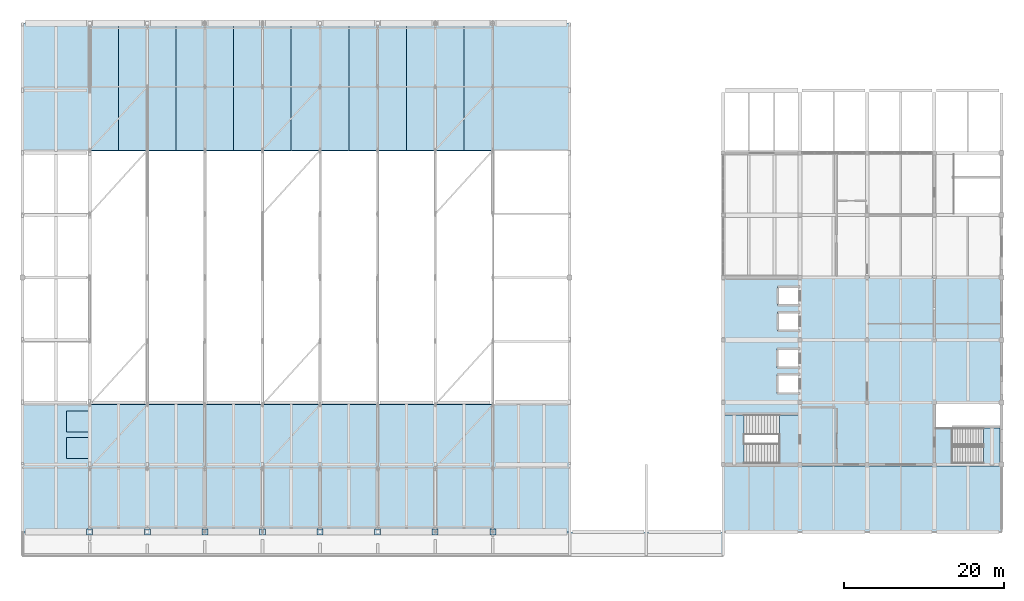
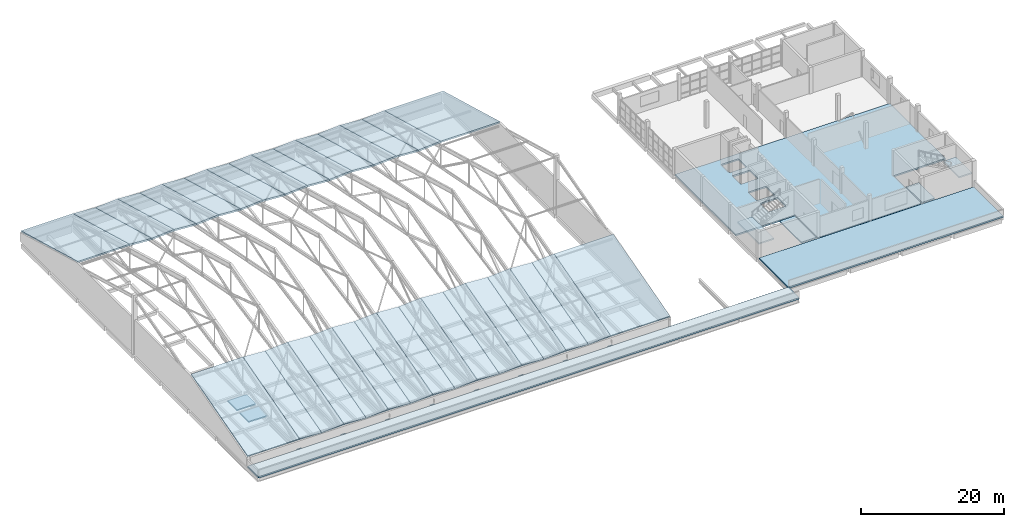
# One storey, part 40 of 53: 41 slabs, 8 plates, 2 elements without a shape of their own.
"""IFC4 building model written with IfcOpenShell, lengths in metres."""

from ifc_helpers import new_model, si_unit, direction, frame, origin, origin_2d, place, context, subcontext, project, spatial, polyline, rectangle, outline, extrude, material, layer, layer_set, type_object, element, aggregate, save


model = new_model("IFC4")

# Units and contexts
model_context = context("Model", 3, precision=1e-05, world=origin(), true_north=direction((0.0, 1.0)))
body_context = subcontext(model_context, "Body", "Model", "MODEL_VIEW")
ifc_project = project(units=[si_unit("LENGTHUNIT", "METRE"), si_unit("AREAUNIT", "SQUARE_METRE"), si_unit("VOLUMEUNIT", "CUBIC_METRE"), si_unit("PLANEANGLEUNIT", "RADIAN"), si_unit("MASSUNIT", "GRAM", prefix="KILO")], contexts=[model_context])

# Site, building, storey
site_placement = place(None, origin())
site = spatial("IfcSite", under=ifc_project, at=site_placement, CompositionType="ELEMENT")
building_placement = place(site_placement, origin())
building = spatial("IfcBuilding", under=site, at=building_placement, Name="Pellamere Symphony Hall", CompositionType="ELEMENT")
storey_placement = place(building_placement, frame((0.0, 0.0, 24.0)))
storey = spatial("IfcBuildingStorey", under=building, at=storey_placement, Name="L05", CompositionType="ELEMENT", Elevation=24.0)

# Stair, slabs
ifc_material_1 = material(Name="Concrete 40 MPa", Category="concrete")
stair_type_1 = type_object("IfcStairType", Name="Stair ST-A W2400", PredefinedType="HALF_TURN_STAIR", material=ifc_material_1)
stair_1_placement = place(storey_placement, origin())
stair_1 = element("IfcStair", 1, at=stair_1_placement, inside=storey, type_object=stair_type_1, Name="Exit Stair ST02-L05 (L05 to RF)", PredefinedType="HALF_TURN_STAIR")
ifc_layer_1 = layer(ifc_material_1, 0.219970703125, Name="Concrete 40 MPa")
ifc_layer_set_1 = layer_set([ifc_layer_1], Name="Concrete 40 MPa")
slab_type_1 = type_object("IfcSlabType", Name="Stair Landing SL-01 220mm", PredefinedType="LANDING", material=ifc_layer_set_1)
slab_1_placement = place(storey_placement, frame((0.0, 0.0, -0.219970703125)))
slab_1 = element("IfcSlab", 2, at=slab_1_placement, type_object=slab_type_1, Name="Stair ST02-L05 Bottom Landing (L05)", PredefinedType="LANDING", context=body_context, shape_type="SweptSolid", body=[
    extrude(outline(polyline([(145.02490234375, 38.56005859375), (147.43994140625, 38.56005859375), (147.43994140625, 44.639892578125), (145.02490234375, 44.639892578125), (145.02490234375, 38.56005859375)])), origin(), (0.0, 0.0, 1.0), 0.219970703125),
])
slab_2_placement = place(storey_placement, frame((0.0, 0.0, 2.030029296875)))
slab_2 = element("IfcSlab", 3, at=slab_2_placement, type_object=slab_type_1, Name="Stair ST02-L05 Half Landing (L05)", PredefinedType="LANDING", context=body_context, shape_type="SweptSolid", body=[
    extrude(outline(polyline([(138.159912109375, 38.56005859375), (140.574951171875, 38.56005859375), (140.574951171875, 44.639892578125), (138.159912109375, 44.639892578125), (138.159912109375, 38.56005859375)])), origin(), (0.0, 0.0, 1.0), 0.219970703125),
])
aggregate(stair_1, [slab_1, slab_2])

stair_type_2 = type_object("IfcStairType", Name="Stair ST-B W2050", PredefinedType="HALF_TURN_STAIR", material=ifc_material_1)
stair_2_placement = place(storey_placement, origin())
stair_2 = element("IfcStair", 4, at=stair_2_placement, inside=storey, type_object=stair_type_2, Name="Exit Stair ST06-L05 (L05 to RF)", PredefinedType="HALF_TURN_STAIR")
slab_3_placement = place(storey_placement, frame((0.0, 0.0, -0.219970703125)))
slab_3 = element("IfcSlab", 5, at=slab_3_placement, type_object=slab_type_1, Name="Stair ST06-L05 Bottom Landing (L05)", PredefinedType="LANDING", context=body_context, shape_type="SweptSolid", body=[
    extrude(outline(polyline([(164.56005859375, 38.56005859375), (166.625, 38.56005859375), (166.625, 43.0), (164.56005859375, 43.0), (164.56005859375, 38.56005859375)])), origin(), (0.0, 0.0, 1.0), 0.219970703125),
])
slab_4_placement = place(storey_placement, frame((0.0, 0.0, 2.030029296875)))
slab_4 = element("IfcSlab", 6, at=slab_4_placement, type_object=slab_type_1, Name="Stair ST06-L05 Half Landing (L05)", PredefinedType="LANDING", context=body_context, shape_type="SweptSolid", body=[
    extrude(outline(polyline([(170.574951171875, 38.56005859375), (172.639892578125, 38.56005859375), (172.639892578125, 43.0), (170.574951171875, 43.0), (170.574951171875, 38.56005859375)])), origin(), (0.0, 0.0, 1.0), 0.219970703125),
])
aggregate(stair_2, [slab_3, slab_4])

# Plates
ifc_material_2 = material(Name="Steel CSA G40.21 350W", Category="steel")
ifc_layer_2 = layer(ifc_material_2, 0.031982421875, Name="Steel CSA G40.21 350W")
ifc_layer_set_2 = layer_set([ifc_layer_2], Name="Steel CSA G40.21 350W")
plate_type = type_object("IfcPlateType", Name="Steel Connection Plate KP-05 750x750x32", PredefinedType="SHEET", material=ifc_layer_set_2)
for number, where, z_axis, x_axis, name in (
    (7, (58.800048828125, 30.0, -0.15576171875), (0.0, 0.0, 1.0), (1.0, 0.0, 0.0), "Roof Truss Bearing Seat Plate TR-01"),
    (8, (66.0, 30.0, -0.15576171875), (0.0, 0.0, 1.0), (1.0, 0.0, 0.0), "Roof Truss Bearing Seat Plate TR-02"),
    (9, (73.199951171875, 30.0, -0.15576171875), (0.0, 0.0, 1.0), (1.0, 0.0, 0.0), "Roof Truss Bearing Seat Plate TR-03"),
    (10, (80.39990234375, 30.0, -0.15576171875), (0.0, 0.0, 1.0), (1.0, 0.0, 0.0), "Roof Truss Bearing Seat Plate TR-04"),
    (11, (87.60009765625, 30.0, -0.15576171875), (0.0, 0.0, 1.0), (1.0, 0.0, 0.0), "Roof Truss Bearing Seat Plate TR-05"),
    (12, (94.800048828125, 30.0, -0.15576171875), (0.0, 0.0, 1.0), (1.0, 0.0, 0.0), "Roof Truss Bearing Seat Plate TR-06"),
    (13, (102.0, 30.0, -0.15576171875), (0.0, 0.0, 1.0), (1.0, 0.0, 0.0), "Roof Truss Bearing Seat Plate TR-07"),
    (14, (109.199951171875, 30.0, -0.15576171875), (0.0, 0.0, 1.0), (1.0, 0.0, 0.0), "Roof Truss Bearing Seat Plate TR-08"),
):
    element("IfcPlate", number, at=place(storey_placement, frame(where, z_axis=z_axis, x_axis=x_axis)), inside=storey, type_object=plate_type, Name=name, PredefinedType="SHEET", context=body_context, shape_type="SweptSolid", body=[
        extrude(rectangle(XDim=0.75, YDim=0.75, at=origin_2d()), origin(), (0.0, 0.0, 1.0), 0.031982421875),
    ])

# Slabs
ifc_layer_3 = layer(ifc_material_1, 0.260009765625, Name="Concrete 40 MPa")
ifc_layer_set_3 = layer_set([ifc_layer_3], Name="Concrete 40 MPa")
slab_type_2 = type_object("IfcSlabType", Name="Structural Slab FS-04 260mm", PredefinedType="FLOOR", material=ifc_layer_set_3)
slab_5_placement = place(storey_placement, frame((0.0, 0.0, -0.260009765625)))
element("IfcSlab", 15, at=slab_5_placement, inside=storey, type_object=slab_type_2, Name="Floor Slab L05-V5A-1", PredefinedType="FLOOR", context=body_context, shape_type="SweptSolid", body=[
    extrude(outline(polyline([(138.0, 61.800048828125), (172.800048828125, 61.800048828125), (172.800048828125, 46.199951171875), (164.39990234375, 46.199951171875), (164.39990234375, 38.39990234375), (147.60009765625, 38.39990234375), (147.60009765625, 44.800048828125), (138.0, 44.800048828125), (138.0, 61.800048828125)]), holes=[polyline([(144.75, 49.699951171875), (144.75, 47.300048828125), (147.60009765625, 47.300048828125), (147.60009765625, 49.699951171875), (144.75, 49.699951171875)]), polyline([(144.75, 52.89990234375), (144.75, 50.5), (147.60009765625, 50.5), (147.60009765625, 52.89990234375), (144.75, 52.89990234375)]), polyline([(144.800048828125, 57.47509765625), (144.800048828125, 55.125), (147.60009765625, 55.125), (147.60009765625, 57.47509765625), (144.800048828125, 57.47509765625)]), polyline([(144.800048828125, 60.675048828125), (144.800048828125, 58.324951171875), (147.60009765625, 58.324951171875), (147.60009765625, 60.675048828125), (144.800048828125, 60.675048828125)])]), origin(), (0.0, 0.0, 1.0), 0.260009765625),
])
ifc_material_3 = material(Name="Precast concrete 40 MPa", Category="concrete")
ifc_layer_4 = layer(ifc_material_3, 0.239990234375, Name="Precast concrete 40 MPa")
ifc_layer_set_4 = layer_set([ifc_layer_4], Name="Precast concrete 40 MPa")
slab_type_3 = type_object("IfcSlabType", Name="Structural Slab RS-01 240mm", PredefinedType="ROOF", material=ifc_layer_set_4)
slab_6_placement = place(storey_placement, frame((58.800048828125, 30.0, 1.739990234375), z_axis=(0.064172715866, -0.265033620873, 0.96210136802), x_axis=(0.997783069409, 8.627482e-06, -0.066550329274)))
element("IfcSlab", 16, at=slab_6_placement, inside=storey, type_object=slab_type_3, Name="Main Hall Lower Folded Roof Bay 1 Facet 1", PredefinedType="ROOF", context=body_context, shape_type="SweptSolid", body=[
    extrude(outline(polyline([(0.0, 0.0), (3.6078443193630103, -1.3877787807814457e-17), (3.316498852134148, 16.48955383862619), (-0.29136171486784507, 16.48961840078766), (0.0, 0.0)])), origin(), (0.0, 0.0, -1.0), 0.239990234375),
])
slab_7_placement = place(storey_placement, frame((62.39990234375, 30.0, 1.5), z_axis=(-0.064168381913, -0.265033694887, 0.962101636698), x_axis=(0.997783369082, -8.626904e-06, 0.066545836148)))
element("IfcSlab", 17, at=slab_7_placement, inside=storey, type_object=slab_type_3, Name="Main Hall Lower Folded Roof Bay 1 Facet 2", PredefinedType="ROOF", context=body_context, shape_type="SweptSolid", body=[
    extrude(outline(polyline([(0.0, 0.0), (3.6080879192917417, 0.0), (3.8994299628836764, 16.48961874835563), (0.29132579704990647, 16.489554186156756), (0.0, 0.0)])), origin(), (0.0, 0.0, -1.0), 0.239990234375),
])
slab_8_placement = place(storey_placement, frame((58.800048828125, 77.699951171875, 6.1201171875), z_axis=(0.064172785079, 0.26502983723, 0.962102405689), x_axis=(0.997782753771, 8.627329e-06, -0.066555061431)))
element("IfcSlab", 18, at=slab_8_placement, inside=storey, type_object=slab_type_3, Name="Main Hall Lower Folded Roof Bay 1 Facet 3", PredefinedType="ROOF", context=body_context, shape_type="SweptSolid", body=[
    extrude(outline(polyline([(0.0, 0.0), (3.607860567579655, 1.3877787807814457e-17), (3.899501113027113, 16.489784032978527), (0.29165679424175267, 16.489848593927547), (0.0, 0.0)])), origin(), (0.0, 0.0, -1.0), 0.239990234375),
])
slab_9_placement = place(storey_placement, frame((62.39990234375, 77.699951171875, 5.8798828125), z_axis=(-0.064168451122, 0.265029911243, 0.962102674369), x_axis=(0.997783053487, -8.626752e-06, 0.066550567991)))
element("IfcSlab", 19, at=slab_9_placement, inside=storey, type_object=slab_type_3, Name="Main Hall Lower Folded Roof Bay 1 Facet 4", PredefinedType="ROOF", context=body_context, shape_type="SweptSolid", body=[
    extrude(outline(polyline([(0.0, 0.0), (3.6081041664113926, -1.3877787807814457e-17), (3.3164670631904856, 16.48984894219188), (-0.29162085552364375, 16.48978438120542), (0.0, 0.0)])), origin(), (0.0, 0.0, -1.0), 0.239990234375),
])
slab_10_placement = place(storey_placement, frame((66.0, 30.0, 1.739990234375), z_axis=(0.064168381913, -0.265033694887, 0.962101636698), x_axis=(0.997783369082, 8.626904e-06, -0.066545836148)))
element("IfcSlab", 20, at=slab_10_placement, inside=storey, type_object=slab_type_3, Name="Main Hall Lower Folded Roof Bay 2 Facet 1", PredefinedType="ROOF", context=body_context, shape_type="SweptSolid", body=[
    extrude(outline(polyline([(0.0, 0.0), (3.6080879192917417, 0.0), (3.316762122241835, 16.489554186156752), (-0.29134204359193483, 16.489618748355625), (0.0, 0.0)])), origin(), (0.0, 0.0, -1.0), 0.239990234375),
])
slab_11_placement = place(storey_placement, frame((69.60009765625, 30.0, 1.5), z_axis=(-0.064172715866, -0.265033620873, 0.96210136802), x_axis=(0.997783069409, -8.627482e-06, 0.066550329274)))
element("IfcSlab", 21, at=slab_11_placement, inside=storey, type_object=slab_type_3, Name="Main Hall Lower Folded Roof Bay 2 Facet 2", PredefinedType="ROOF", context=body_context, shape_type="SweptSolid", body=[
    extrude(outline(polyline([(0.0, 0.0), (3.6078443193630103, 1.3877787807814457e-17), (3.8992060342308554, 16.48961840078766), (0.2913454672288622, 16.48955383862619), (0.0, 0.0)])), origin(), (0.0, 0.0, -1.0), 0.239990234375),
])
slab_12_placement = place(storey_placement, frame((66.0, 77.699951171875, 6.1201171875), z_axis=(0.064168451122, 0.265029911243, 0.962102674369), x_axis=(0.997783053487, 8.626752e-06, -0.066550567991)))
element("IfcSlab", 22, at=slab_12_placement, inside=storey, type_object=slab_type_3, Name="Main Hall Lower Folded Roof Bay 2 Facet 3", PredefinedType="ROOF", context=body_context, shape_type="SweptSolid", body=[
    extrude(outline(polyline([(0.0, 0.0), (3.6081041664113926, 1.3877787807814457e-17), (3.8997250219350366, 16.48978438120542), (0.2916371032209072, 16.48984894219188), (0.0, 0.0)])), origin(), (0.0, 0.0, -1.0), 0.239990234375),
])
slab_13_placement = place(storey_placement, frame((69.60009765625, 77.699951171875, 5.8798828125), z_axis=(-0.064172785079, 0.26502983723, 0.962102405689), x_axis=(0.997782753771, -8.627329e-06, 0.066555061431)))
element("IfcSlab", 23, at=slab_13_placement, inside=storey, type_object=slab_type_3, Name="Main Hall Lower Folded Roof Bay 2 Facet 4", PredefinedType="ROOF", context=body_context, shape_type="SweptSolid", body=[
    extrude(outline(polyline([(0.0, 0.0), (3.607860567579655, -1.3877787807814457e-17), (3.3162037733379024, 16.489848593927547), (-0.29164054544745804, 16.489784032978527), (0.0, 0.0)])), origin(), (0.0, 0.0, -1.0), 0.239990234375),
])
slab_14_placement = place(storey_placement, frame((73.199951171875, 30.0, 1.739990234375), z_axis=(0.064168381913, -0.265033694887, 0.962101636698), x_axis=(0.997783369082, 8.626904e-06, -0.066545836148)))
element("IfcSlab", 24, at=slab_14_placement, inside=storey, type_object=slab_type_3, Name="Main Hall Lower Folded Roof Bay 3 Facet 1", PredefinedType="ROOF", context=body_context, shape_type="SweptSolid", body=[
    extrude(outline(polyline([(0.0, 0.0), (3.6080879192917417, 0.0), (3.316762122241835, 16.489554186156752), (-0.29134204359193483, 16.489618748355625), (0.0, 0.0)])), origin(), (0.0, 0.0, -1.0), 0.239990234375),
])
slab_15_placement = place(storey_placement, frame((76.800048828125, 30.0, 1.5), z_axis=(-0.064172715866, -0.265033620873, 0.96210136802), x_axis=(0.997783069409, -8.627482e-06, 0.066550329274)))
element("IfcSlab", 25, at=slab_15_placement, inside=storey, type_object=slab_type_3, Name="Main Hall Lower Folded Roof Bay 3 Facet 2", PredefinedType="ROOF", context=body_context, shape_type="SweptSolid", body=[
    extrude(outline(polyline([(0.0, 0.0), (3.6078443193630103, 1.3877787807814457e-17), (3.8992060342308554, 16.48961840078766), (0.2913454672288622, 16.48955383862619), (0.0, 0.0)])), origin(), (0.0, 0.0, -1.0), 0.239990234375),
])
slab_16_placement = place(storey_placement, frame((73.199951171875, 77.699951171875, 6.1201171875), z_axis=(0.064168451122, 0.265029911243, 0.962102674369), x_axis=(0.997783053487, 8.626752e-06, -0.066550567991)))
element("IfcSlab", 26, at=slab_16_placement, inside=storey, type_object=slab_type_3, Name="Main Hall Lower Folded Roof Bay 3 Facet 3", PredefinedType="ROOF", context=body_context, shape_type="SweptSolid", body=[
    extrude(outline(polyline([(0.0, 0.0), (3.6081041664113926, 1.3877787807814457e-17), (3.8997250219350366, 16.48978438120542), (0.2916371032209072, 16.48984894219188), (0.0, 0.0)])), origin(), (0.0, 0.0, -1.0), 0.239990234375),
])
slab_17_placement = place(storey_placement, frame((76.800048828125, 77.699951171875, 5.8798828125), z_axis=(-0.064172785079, 0.26502983723, 0.962102405689), x_axis=(0.997782753771, -8.627329e-06, 0.066555061431)))
element("IfcSlab", 27, at=slab_17_placement, inside=storey, type_object=slab_type_3, Name="Main Hall Lower Folded Roof Bay 3 Facet 4", PredefinedType="ROOF", context=body_context, shape_type="SweptSolid", body=[
    extrude(outline(polyline([(0.0, 0.0), (3.607860567579655, -1.3877787807814457e-17), (3.3162037733379024, 16.489848593927547), (-0.29164054544745804, 16.489784032978527), (0.0, 0.0)])), origin(), (0.0, 0.0, -1.0), 0.239990234375),
])
slab_18_placement = place(storey_placement, frame((80.39990234375, 30.0, 1.739990234375), z_axis=(0.064168381913, -0.265033694887, 0.962101636698), x_axis=(0.997783369082, 8.626904e-06, -0.066545836148)))
element("IfcSlab", 28, at=slab_18_placement, inside=storey, type_object=slab_type_3, Name="Main Hall Lower Folded Roof Bay 4 Facet 1", PredefinedType="ROOF", context=body_context, shape_type="SweptSolid", body=[
    extrude(outline(polyline([(0.0, 0.0), (3.6080879192917417, 0.0), (3.316762122241835, 16.489554186156752), (-0.29134204359193483, 16.489618748355625), (0.0, 0.0)])), origin(), (0.0, 0.0, -1.0), 0.239990234375),
])
slab_19_placement = place(storey_placement, frame((84.0, 30.0, 1.5), z_axis=(-0.064168381913, -0.265033694887, 0.962101636698), x_axis=(0.997783369082, -8.626904e-06, 0.066545836148)))
element("IfcSlab", 29, at=slab_19_placement, inside=storey, type_object=slab_type_3, Name="Main Hall Lower Folded Roof Bay 4 Facet 2", PredefinedType="ROOF", context=body_context, shape_type="SweptSolid", body=[
    extrude(outline(polyline([(0.0, 0.0), (3.6080879192917417, 0.0), (3.8994299628836764, 16.48961874835563), (0.29132579704990647, 16.489554186156756), (0.0, 0.0)])), origin(), (0.0, 0.0, -1.0), 0.239990234375),
])
slab_20_placement = place(storey_placement, frame((80.39990234375, 77.699951171875, 6.1201171875), z_axis=(0.064168451122, 0.265029911243, 0.962102674369), x_axis=(0.997783053487, 8.626752e-06, -0.066550567991)))
element("IfcSlab", 30, at=slab_20_placement, inside=storey, type_object=slab_type_3, Name="Main Hall Lower Folded Roof Bay 4 Facet 3", PredefinedType="ROOF", context=body_context, shape_type="SweptSolid", body=[
    extrude(outline(polyline([(0.0, 0.0), (3.6081041664113926, 1.3877787807814457e-17), (3.8997250219350366, 16.48978438120542), (0.2916371032209072, 16.48984894219188), (0.0, 0.0)])), origin(), (0.0, 0.0, -1.0), 0.239990234375),
])
slab_21_placement = place(storey_placement, frame((84.0, 77.699951171875, 5.8798828125), z_axis=(-0.064168451122, 0.265029911243, 0.962102674369), x_axis=(0.997783053487, -8.626752e-06, 0.066550567991)))
element("IfcSlab", 31, at=slab_21_placement, inside=storey, type_object=slab_type_3, Name="Main Hall Lower Folded Roof Bay 4 Facet 4", PredefinedType="ROOF", context=body_context, shape_type="SweptSolid", body=[
    extrude(outline(polyline([(0.0, 0.0), (3.6081041664113926, -1.3877787807814457e-17), (3.3164670631904856, 16.48984894219188), (-0.29162085552364375, 16.48978438120542), (0.0, 0.0)])), origin(), (0.0, 0.0, -1.0), 0.239990234375),
])
slab_22_placement = place(storey_placement, frame((87.60009765625, 30.0, 1.739990234375), z_axis=(0.064172715866, -0.265033620873, 0.96210136802), x_axis=(0.997783069409, 8.627482e-06, -0.066550329274)))
element("IfcSlab", 32, at=slab_22_placement, inside=storey, type_object=slab_type_3, Name="Main Hall Lower Folded Roof Bay 5 Facet 1", PredefinedType="ROOF", context=body_context, shape_type="SweptSolid", body=[
    extrude(outline(polyline([(0.0, 0.0), (3.6078443193630103, -1.3877787807814457e-17), (3.316498852134148, 16.48955383862619), (-0.29136171486784507, 16.48961840078766), (0.0, 0.0)])), origin(), (0.0, 0.0, -1.0), 0.239990234375),
])
slab_23_placement = place(storey_placement, frame((91.199951171875, 30.0, 1.5), z_axis=(-0.064168381913, -0.265033694887, 0.962101636698), x_axis=(0.997783369082, -8.626904e-06, 0.066545836148)))
element("IfcSlab", 33, at=slab_23_placement, inside=storey, type_object=slab_type_3, Name="Main Hall Lower Folded Roof Bay 5 Facet 2", PredefinedType="ROOF", context=body_context, shape_type="SweptSolid", body=[
    extrude(outline(polyline([(0.0, 0.0), (3.6080879192917417, 0.0), (3.8994299628836764, 16.48961874835563), (0.29132579704990647, 16.489554186156756), (0.0, 0.0)])), origin(), (0.0, 0.0, -1.0), 0.239990234375),
])
slab_24_placement = place(storey_placement, frame((87.60009765625, 77.699951171875, 6.1201171875), z_axis=(0.064172785079, 0.26502983723, 0.962102405689), x_axis=(0.997782753771, 8.627329e-06, -0.066555061431)))
element("IfcSlab", 34, at=slab_24_placement, inside=storey, type_object=slab_type_3, Name="Main Hall Lower Folded Roof Bay 5 Facet 3", PredefinedType="ROOF", context=body_context, shape_type="SweptSolid", body=[
    extrude(outline(polyline([(0.0, 0.0), (3.607860567579655, 1.3877787807814457e-17), (3.899501113027113, 16.489784032978527), (0.29165679424175267, 16.489848593927547), (0.0, 0.0)])), origin(), (0.0, 0.0, -1.0), 0.239990234375),
])
slab_25_placement = place(storey_placement, frame((91.199951171875, 77.699951171875, 5.8798828125), z_axis=(-0.064168451122, 0.265029911243, 0.962102674369), x_axis=(0.997783053487, -8.626752e-06, 0.066550567991)))
element("IfcSlab", 35, at=slab_25_placement, inside=storey, type_object=slab_type_3, Name="Main Hall Lower Folded Roof Bay 5 Facet 4", PredefinedType="ROOF", context=body_context, shape_type="SweptSolid", body=[
    extrude(outline(polyline([(0.0, 0.0), (3.6081041664113926, -1.3877787807814457e-17), (3.3164670631904856, 16.48984894219188), (-0.29162085552364375, 16.48978438120542), (0.0, 0.0)])), origin(), (0.0, 0.0, -1.0), 0.239990234375),
])
slab_26_placement = place(storey_placement, frame((94.800048828125, 30.0, 1.739990234375), z_axis=(0.064172715866, -0.265033620873, 0.96210136802), x_axis=(0.997783069409, 8.627482e-06, -0.066550329274)))
element("IfcSlab", 36, at=slab_26_placement, inside=storey, type_object=slab_type_3, Name="Main Hall Lower Folded Roof Bay 6 Facet 1", PredefinedType="ROOF", context=body_context, shape_type="SweptSolid", body=[
    extrude(outline(polyline([(0.0, 0.0), (3.6078443193630103, -1.3877787807814457e-17), (3.316498852134148, 16.48955383862619), (-0.29136171486784507, 16.48961840078766), (0.0, 0.0)])), origin(), (0.0, 0.0, -1.0), 0.239990234375),
])
slab_27_placement = place(storey_placement, frame((98.39990234375, 30.0, 1.5), z_axis=(-0.064168381913, -0.265033694887, 0.962101636698), x_axis=(0.997783369082, -8.626904e-06, 0.066545836148)))
element("IfcSlab", 37, at=slab_27_placement, inside=storey, type_object=slab_type_3, Name="Main Hall Lower Folded Roof Bay 6 Facet 2", PredefinedType="ROOF", context=body_context, shape_type="SweptSolid", body=[
    extrude(outline(polyline([(0.0, 0.0), (3.6080879192917417, 0.0), (3.8994299628836764, 16.48961874835563), (0.29132579704990647, 16.489554186156756), (0.0, 0.0)])), origin(), (0.0, 0.0, -1.0), 0.239990234375),
])
slab_28_placement = place(storey_placement, frame((94.800048828125, 77.699951171875, 6.1201171875), z_axis=(0.064172785079, 0.26502983723, 0.962102405689), x_axis=(0.997782753771, 8.627329e-06, -0.066555061431)))
element("IfcSlab", 38, at=slab_28_placement, inside=storey, type_object=slab_type_3, Name="Main Hall Lower Folded Roof Bay 6 Facet 3", PredefinedType="ROOF", context=body_context, shape_type="SweptSolid", body=[
    extrude(outline(polyline([(0.0, 0.0), (3.607860567579655, 1.3877787807814457e-17), (3.899501113027113, 16.489784032978527), (0.29165679424175267, 16.489848593927547), (0.0, 0.0)])), origin(), (0.0, 0.0, -1.0), 0.239990234375),
])
slab_29_placement = place(storey_placement, frame((98.39990234375, 77.699951171875, 5.8798828125), z_axis=(-0.064168451122, 0.265029911243, 0.962102674369), x_axis=(0.997783053487, -8.626752e-06, 0.066550567991)))
element("IfcSlab", 39, at=slab_29_placement, inside=storey, type_object=slab_type_3, Name="Main Hall Lower Folded Roof Bay 6 Facet 4", PredefinedType="ROOF", context=body_context, shape_type="SweptSolid", body=[
    extrude(outline(polyline([(0.0, 0.0), (3.6081041664113926, -1.3877787807814457e-17), (3.3164670631904856, 16.48984894219188), (-0.29162085552364375, 16.48978438120542), (0.0, 0.0)])), origin(), (0.0, 0.0, -1.0), 0.239990234375),
])
slab_30_placement = place(storey_placement, frame((102.0, 30.0, 1.739990234375), z_axis=(0.064168381913, -0.265033694887, 0.962101636698), x_axis=(0.997783369082, 8.626904e-06, -0.066545836148)))
element("IfcSlab", 40, at=slab_30_placement, inside=storey, type_object=slab_type_3, Name="Main Hall Lower Folded Roof Bay 7 Facet 1", PredefinedType="ROOF", context=body_context, shape_type="SweptSolid", body=[
    extrude(outline(polyline([(0.0, 0.0), (3.6080879192917417, 0.0), (3.316762122241835, 16.489554186156752), (-0.29134204359193483, 16.489618748355625), (0.0, 0.0)])), origin(), (0.0, 0.0, -1.0), 0.239990234375),
])
slab_31_placement = place(storey_placement, frame((105.60009765625, 30.0, 1.5), z_axis=(-0.064172715866, -0.265033620873, 0.96210136802), x_axis=(0.997783069409, -8.627482e-06, 0.066550329274)))
element("IfcSlab", 41, at=slab_31_placement, inside=storey, type_object=slab_type_3, Name="Main Hall Lower Folded Roof Bay 7 Facet 2", PredefinedType="ROOF", context=body_context, shape_type="SweptSolid", body=[
    extrude(outline(polyline([(0.0, 0.0), (3.6078443193630103, 1.3877787807814457e-17), (3.8992060342308554, 16.48961840078766), (0.2913454672288622, 16.48955383862619), (0.0, 0.0)])), origin(), (0.0, 0.0, -1.0), 0.239990234375),
])
slab_32_placement = place(storey_placement, frame((102.0, 77.699951171875, 6.1201171875), z_axis=(0.064168451122, 0.265029911243, 0.962102674369), x_axis=(0.997783053487, 8.626752e-06, -0.066550567991)))
element("IfcSlab", 42, at=slab_32_placement, inside=storey, type_object=slab_type_3, Name="Main Hall Lower Folded Roof Bay 7 Facet 3", PredefinedType="ROOF", context=body_context, shape_type="SweptSolid", body=[
    extrude(outline(polyline([(0.0, 0.0), (3.6081041664113926, 1.3877787807814457e-17), (3.8997250219350366, 16.48978438120542), (0.2916371032209072, 16.48984894219188), (0.0, 0.0)])), origin(), (0.0, 0.0, -1.0), 0.239990234375),
])
slab_33_placement = place(storey_placement, frame((105.60009765625, 77.699951171875, 5.8798828125), z_axis=(-0.064172785079, 0.26502983723, 0.962102405689), x_axis=(0.997782753771, -8.627329e-06, 0.066555061431)))
element("IfcSlab", 43, at=slab_33_placement, inside=storey, type_object=slab_type_3, Name="Main Hall Lower Folded Roof Bay 7 Facet 4", PredefinedType="ROOF", context=body_context, shape_type="SweptSolid", body=[
    extrude(outline(polyline([(0.0, 0.0), (3.607860567579655, -1.3877787807814457e-17), (3.3162037733379024, 16.489848593927547), (-0.29164054544745804, 16.489784032978527), (0.0, 0.0)])), origin(), (0.0, 0.0, -1.0), 0.239990234375),
])
ifc_layer_5 = layer(ifc_material_3, 0.219970703125, Name="Precast concrete 40 MPa")
ifc_layer_set_5 = layer_set([ifc_layer_5], Name="Precast concrete 40 MPa")
slab_type_4 = type_object("IfcSlabType", Name="Structural Slab RS-02 220mm", PredefinedType="ROOF", material=ifc_layer_set_5)
slab_34_placement = place(storey_placement, frame((50.39990234375, 30.0, 1.739990234375), z_axis=(0.0, -0.265587914269, 0.964086645377), x_axis=(1.0, 0.0, 0.0)))
element("IfcSlab", 44, at=slab_34_placement, inside=storey, type_object=slab_type_4, Name="Crown Crystal Foyer Sloped Roof W-SL", PredefinedType="ROOF", context=body_context, shape_type="SweptSolid", body=[
    extrude(outline(polyline([(0.0, 0.0), (8.400146484375, 0.0), (8.400146484375, 16.49219229412145), (0.0, 16.49219229412145), (0.0, 0.0)])), origin(), (0.0, 0.0, -1.0), 0.219970703125),
])
slab_35_placement = place(storey_placement, frame((50.39990234375, 77.699951171875, 6.1201171875), z_axis=(0.0, 0.265584123913, 0.964087689542), x_axis=(1.0, 0.0, 0.0)))
element("IfcSlab", 45, at=slab_35_placement, inside=storey, type_object=slab_type_4, Name="Crown Crystal Foyer Sloped Roof W-NL", PredefinedType="ROOF", context=body_context, shape_type="SweptSolid", body=[
    extrude(outline(polyline([(0.0, 0.0), (8.400146484375, 0.0), (8.400146484375, 16.492427666965067), (0.0, 16.492427666965067), (0.0, 0.0)])), origin(), (0.0, 0.0, -1.0), 0.219970703125),
])
slab_36_placement = place(storey_placement, frame((109.199951171875, 30.0, 1.739990234375), z_axis=(0.0, -0.265587914269, 0.964086645377), x_axis=(1.0, 0.0, 0.0)))
element("IfcSlab", 46, at=slab_36_placement, inside=storey, type_object=slab_type_4, Name="Crown Crystal Foyer Sloped Roof E-SL", PredefinedType="ROOF", context=body_context, shape_type="SweptSolid", body=[
    extrude(outline(polyline([(0.0, 0.0), (9.60009765625, 0.0), (9.60009765625, 16.49219229412145), (0.0, 16.49219229412145), (0.0, 0.0)])), origin(), (0.0, 0.0, -1.0), 0.219970703125),
])
slab_37_placement = place(storey_placement, frame((109.199951171875, 77.699951171875, 6.1201171875), z_axis=(0.0, 0.265584123913, 0.964087689542), x_axis=(1.0, 0.0, 0.0)))
element("IfcSlab", 47, at=slab_37_placement, inside=storey, type_object=slab_type_4, Name="Crown Crystal Foyer Sloped Roof E-NL", PredefinedType="ROOF", context=body_context, shape_type="SweptSolid", body=[
    extrude(outline(polyline([(0.0, 0.0), (9.60009765625, 0.0), (9.60009765625, 16.492427666965067), (0.0, 16.492427666965067), (0.0, 0.0)])), origin(), (0.0, 0.0, -1.0), 0.219970703125),
])
ifc_layer_6 = layer(ifc_material_3, 0.199951171875, Name="Precast concrete 40 MPa")
ifc_layer_set_6 = layer_set([ifc_layer_6], Name="Precast concrete 40 MPa")
slab_type_5 = type_object("IfcSlabType", Name="Structural Slab RS-03 200mm", PredefinedType="ROOF", material=ifc_layer_set_6)
slab_38_placement = place(storey_placement, frame((0.0, 0.0, -0.080078125)))
element("IfcSlab", 48, at=slab_38_placement, inside=storey, type_object=slab_type_5, Name="Elevator PL1 Hoistway Overrun Cap Slab", PredefinedType="ROOF", context=body_context, shape_type="SweptSolid", body=[
    extrude(outline(polyline([(55.8798828125, 39.205078125), (58.919921875, 39.205078125), (58.919921875, 41.794921875), (55.8798828125, 41.794921875), (55.8798828125, 39.205078125)])), origin(), (0.0, 0.0, 1.0), 0.2001953125),
])
slab_39_placement = place(storey_placement, frame((0.0, 0.0, -0.080078125)))
element("IfcSlab", 49, at=slab_39_placement, inside=storey, type_object=slab_type_5, Name="Elevator PL2 Hoistway Overrun Cap Slab", PredefinedType="ROOF", context=body_context, shape_type="SweptSolid", body=[
    extrude(outline(polyline([(55.8798828125, 42.5048828125), (58.919921875, 42.5048828125), (58.919921875, 45.094970703125), (55.8798828125, 45.094970703125), (55.8798828125, 42.5048828125)])), origin(), (0.0, 0.0, 1.0), 0.2001953125),
])
ifc_layer_7 = layer(ifc_material_1, 0.260009765625, Name="Concrete 40 MPa")
ifc_layer_set_7 = layer_set([ifc_layer_7], Name="Concrete 40 MPa")
slab_type_6 = type_object("IfcSlabType", Name="Structural Slab RS-04 260mm", PredefinedType="ROOF", material=ifc_layer_set_7)
slab_40_placement = place(storey_placement, frame((0.0, 0.0, -0.260009765625)))
element("IfcSlab", 50, at=slab_40_placement, inside=storey, type_object=slab_type_6, Name="Winter-Garden Concourse Maintenance Roof", PredefinedType="ROOF", context=body_context, shape_type="SweptSolid", body=[
    extrude(outline(polyline([(138.0, 27.0), (138.0, 30.0), (50.39990234375, 30.0), (50.39990234375, 27.0), (138.0, 27.0)])), origin(), (0.0, 0.0, 1.0), 0.260009765625),
])
slab_41_placement = place(storey_placement, frame((0.0, 0.0, -0.260009765625)))
element("IfcSlab", 51, at=slab_41_placement, inside=storey, type_object=slab_type_6, Name="Artists Wing Setback Maintenance Roof S", PredefinedType="ROOF", context=body_context, shape_type="SweptSolid", body=[
    extrude(outline(polyline([(172.800048828125, 30.0), (172.800048828125, 38.219970703125), (138.0, 38.219970703125), (138.0, 30.0), (172.800048828125, 30.0)])), origin(), (0.0, 0.0, 1.0), 0.260009765625),
])

save(model, "model.ifc")
